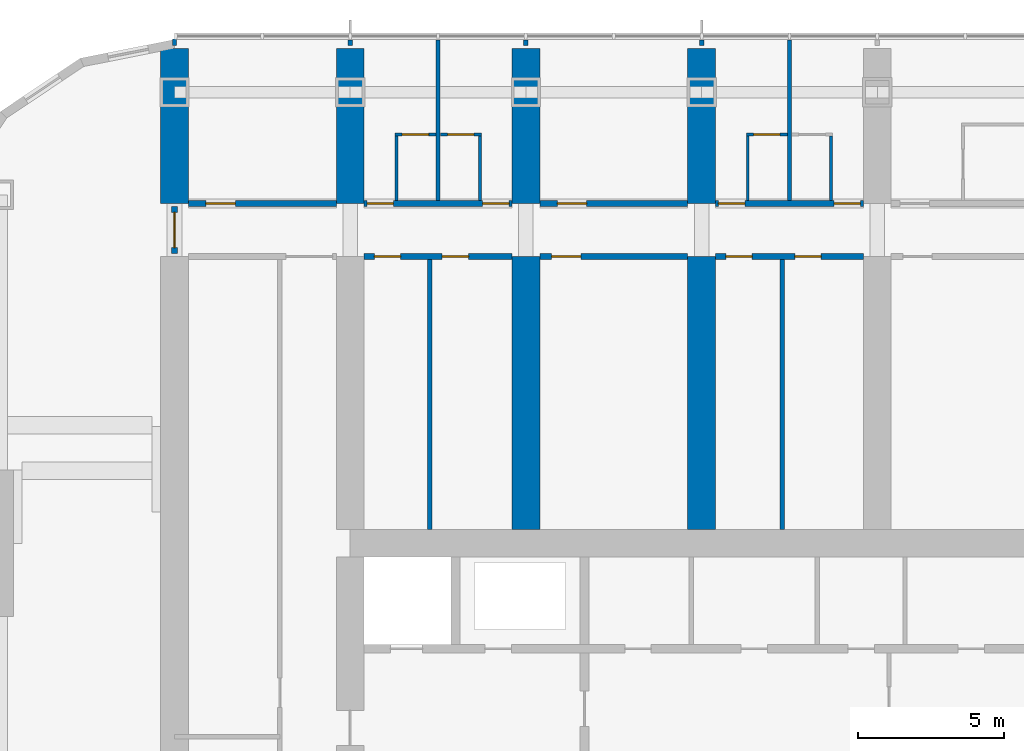
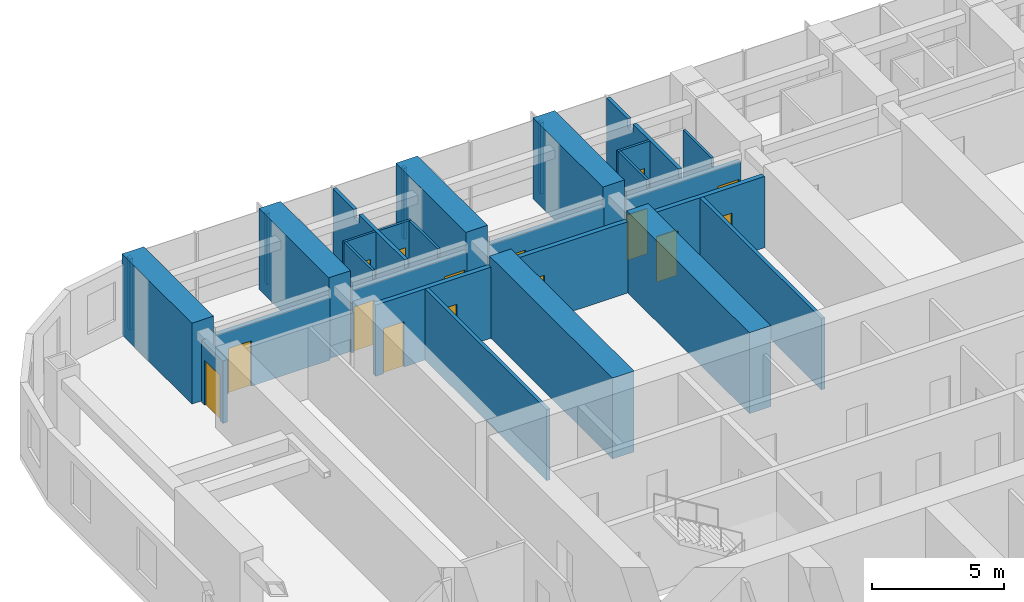
# One storey, part 13 of 21: 29 walls, 15 doors, 15 openings.
"""IFC4 building model written with IfcOpenShell, lengths in metres."""

from ifc_helpers import new_model, si_unit, direction, frame, frame_2d, origin, place, context, subcontext, project, spatial, polyline, rectangle, outline, extrude, material, layer, layer_set, type_object, element, fill, save


model = new_model("IFC4")

# Units and contexts
model_context = context("Model", 3, precision=1e-05, world=origin(), true_north=direction((0.0, 1.0)))
body_context = subcontext(model_context, "Body", "Model", "MODEL_VIEW")
ifc_project = project(units=[si_unit("LENGTHUNIT", "METRE"), si_unit("AREAUNIT", "SQUARE_METRE"), si_unit("VOLUMEUNIT", "CUBIC_METRE"), si_unit("PLANEANGLEUNIT", "RADIAN"), si_unit("MASSUNIT", "GRAM", prefix="KILO")], contexts=[model_context])

# Site, building, storey
site_placement = place(None, origin())
site = spatial("IfcSite", under=ifc_project, at=site_placement, CompositionType="ELEMENT")
building_placement = place(site_placement, origin())
building = spatial("IfcBuilding", under=site, at=building_placement, Name="Orbita Commons", CompositionType="ELEMENT")
storey_placement = place(building_placement, frame((0.0, 0.0, 95.64990234375)))
storey = spatial("IfcBuildingStorey", under=building, at=storey_placement, Name="L23", CompositionType="ELEMENT", Elevation=95.64990234375)

# Wall, opening, door
ifc_material_1 = material(Name="Concrete blockwork", Category="masonry")
ifc_layer_1 = layer(ifc_material_1, 0.199951171875)
ifc_layer_set_1 = layer_set([ifc_layer_1], Name="Concrete blockwork")
wall_type_1 = type_object("IfcWallType", Name="Corridor wall 200 blockwork", PredefinedType="SOLIDWALL", material=ifc_layer_set_1)
wall_1_placement = place(storey_placement, frame((12.47509765625, 49.800048828125, 0.0), z_axis=(0.0, 0.0, 1.0), x_axis=(1.0, 0.0, 0.0)))
wall_1 = element("IfcWall", 1, at=wall_1_placement, inside=storey, type_object=wall_type_1, Name="Corridor wall 200 blockwork L23", PredefinedType="SOLIDWALL", context=body_context, shape_type="SweptSolid", body=[
    extrude(outline(polyline([(0.0, 0.0), (5.0498046875, 0.0), (5.050048828125, 2.900146484375), (0.0, 2.900146484375), (0.0, 0.0)])), frame((0.0, 0.10009765625, 0.0), z_axis=(0.0, -1.0, 0.0), x_axis=(1.0, 0.0, 0.0)), (0.0, 0.0, 1.0), 0.199951171875),
])
opening_1_placement = place(wall_1_placement, frame((0.60009765625, 0.0, 0.0)))
opening_1 = element("IfcOpeningElement", 2, at=opening_1_placement, cuts=wall_1, Name="Opening D06", PredefinedType="OPENING", context=body_context, shape_type="SweptSolid", body=[
    extrude(rectangle(XDim=1.0, YDim=2.10009765625, at=frame_2d((0.5, 1.050048828125))), frame((0.0, 0.10986328125, 0.0), z_axis=(0.0, -1.0, 0.0), x_axis=(1.0, 0.0, 0.0)), (0.0, 0.0, 1.0), 0.219970703125),
])
ifc_material_2 = material(Name="Steel-faced fire door leaf", Category="steel")
door_type_1 = type_object("IfcDoorType", Name="Corridor door 20 min 1000x2100", OperationType="SINGLE_SWING_LEFT", PredefinedType="DOOR", material=ifc_material_2)
door_1_placement = place(opening_1_placement, origin())
door_1 = element("IfcDoor", 3, at=door_1_placement, inside=storey, type_object=door_type_1, Name="Sea-view lounge L23-N00 door", OperationType="SINGLE_SWING_LEFT", OverallHeight=2.10009765625, OverallWidth=1.0, PredefinedType="DOOR", context=body_context, shape_type="SweptSolid", body=[
    extrude(rectangle(XDim=1.0, YDim=2.10009765625, at=frame_2d((0.5, 1.050048828125))), frame((0.0, 0.02490234375, 0.0), z_axis=(0.0, -1.0, 0.0), x_axis=(1.0, 0.0, 0.0)), (0.0, 0.0, 1.0), 0.050048828125),
])
fill(opening_1, door_1)

# Wall, openings, doors
wall_2_placement = place(storey_placement, frame((18.47509765625, 49.800048828125, 0.0), z_axis=(0.0, 0.0, 1.0), x_axis=(1.0, 0.0, 0.0)))
wall_2 = element("IfcWall", 4, at=wall_2_placement, inside=storey, type_object=wall_type_1, Name="Corridor wall 200 blockwork L23", PredefinedType="SOLIDWALL", context=body_context, shape_type="SweptSolid", body=[
    extrude(outline(polyline([(0.0, 0.0), (5.0498046875, 0.0), (5.050048828125, 2.900146484375), (0.0, 2.900146484375), (0.0, 0.0)])), frame((0.0, 0.10009765625, 0.0), z_axis=(0.0, -1.0, 0.0), x_axis=(1.0, 0.0, 0.0)), (0.0, 0.0, 1.0), 0.199951171875),
])
opening_2_placement = place(wall_2_placement, frame((0.10009765625, 0.0, 0.0)))
opening_2 = element("IfcOpeningElement", 5, at=opening_2_placement, cuts=wall_2, Name="Opening D11", PredefinedType="OPENING", context=body_context, shape_type="SweptSolid", body=[
    extrude(rectangle(XDim=0.89990234375, YDim=2.10009765625, at=frame_2d((0.449951171875, 1.050048828125))), frame((0.0, 0.10986328125, 0.0), z_axis=(0.0, -1.0, 0.0), x_axis=(1.0, 0.0, 0.0)), (0.0, 0.0, 1.0), 0.219970703125),
])
opening_3_placement = place(wall_2_placement, frame((4.050048828125, 0.0, 0.0)))
opening_3 = element("IfcOpeningElement", 6, at=opening_3_placement, cuts=wall_2, Name="Opening D11", PredefinedType="OPENING", context=body_context, shape_type="SweptSolid", body=[
    extrude(rectangle(XDim=0.89990234375, YDim=2.10009765625, at=frame_2d((0.449951171875, 1.050048828125))), frame((0.0, 0.10986328125, 0.0), z_axis=(0.0, -1.0, 0.0), x_axis=(1.0, 0.0, 0.0)), (0.0, 0.0, 1.0), 0.219970703125),
])
ifc_material_3 = material(Name="Steel-faced fire door leaf", Category="steel")
door_type_2 = type_object("IfcDoorType", Name="Corridor door 20 min 900x2100", OperationType="SINGLE_SWING_LEFT", PredefinedType="DOOR", material=ifc_material_3)
door_2_placement = place(opening_2_placement, origin())
door_2 = element("IfcDoor", 7, at=door_2_placement, inside=storey, type_object=door_type_2, Name="Cluster bedroom L23-N02 door", OperationType="SINGLE_SWING_LEFT", OverallHeight=2.10009765625, OverallWidth=0.89990234375, PredefinedType="DOOR", context=body_context, shape_type="SweptSolid", body=[
    extrude(rectangle(XDim=0.89990234375, YDim=2.10009765625, at=frame_2d((0.449951171875, 1.050048828125))), frame((0.0, 0.02490234375, 0.0), z_axis=(0.0, -1.0, 0.0), x_axis=(1.0, 0.0, 0.0)), (0.0, 0.0, 1.0), 0.050048828125),
])
fill(opening_2, door_2)
door_3_placement = place(opening_3_placement, origin())
door_3 = element("IfcDoor", 8, at=door_3_placement, inside=storey, type_object=door_type_2, Name="Cluster bedroom L23-N03 door", OperationType="SINGLE_SWING_LEFT", OverallHeight=2.10009765625, OverallWidth=0.89990234375, PredefinedType="DOOR", context=body_context, shape_type="SweptSolid", body=[
    extrude(rectangle(XDim=0.89990234375, YDim=2.10009765625, at=frame_2d((0.449951171875, 1.050048828125))), frame((0.0, 0.02490234375, 0.0), z_axis=(0.0, -1.0, 0.0), x_axis=(1.0, 0.0, 0.0)), (0.0, 0.0, 1.0), 0.050048828125),
])
fill(opening_3, door_3)

# Wall, opening, door
wall_3_placement = place(storey_placement, frame((24.47509765625, 49.800048828125, 0.0), z_axis=(0.0, 0.0, 1.0), x_axis=(1.0, 0.0, 0.0)))
wall_3 = element("IfcWall", 9, at=wall_3_placement, inside=storey, type_object=wall_type_1, Name="Corridor wall 200 blockwork L23", PredefinedType="SOLIDWALL", context=body_context, shape_type="SweptSolid", body=[
    extrude(outline(polyline([(0.0, 0.0), (5.0498046875, 0.0), (5.050048828125, 2.900146484375), (0.0, 2.900146484375), (0.0, 0.0)])), frame((0.0, 0.10009765625, 0.0), z_axis=(0.0, -1.0, 0.0), x_axis=(1.0, 0.0, 0.0)), (0.0, 0.0, 1.0), 0.199951171875),
])
opening_4_placement = place(wall_3_placement, frame((0.60009765625, 0.0, 0.0)))
opening_4 = element("IfcOpeningElement", 10, at=opening_4_placement, cuts=wall_3, Name="Opening D06", PredefinedType="OPENING", context=body_context, shape_type="SweptSolid", body=[
    extrude(rectangle(XDim=1.0, YDim=2.10009765625, at=frame_2d((0.5, 1.050048828125))), frame((0.0, 0.10986328125, 0.0), z_axis=(0.0, -1.0, 0.0), x_axis=(1.0, 0.0, 0.0)), (0.0, 0.0, 1.0), 0.219970703125),
])
door_4_placement = place(opening_4_placement, origin())
door_4 = element("IfcDoor", 11, at=door_4_placement, inside=storey, type_object=door_type_1, Name="Sea-view lounge L23-N04 door", OperationType="SINGLE_SWING_LEFT", OverallHeight=2.10009765625, OverallWidth=1.0, PredefinedType="DOOR", context=body_context, shape_type="SweptSolid", body=[
    extrude(rectangle(XDim=1.0, YDim=2.10009765625, at=frame_2d((0.5, 1.050048828125))), frame((0.0, 0.02490234375, 0.0), z_axis=(0.0, -1.0, 0.0), x_axis=(1.0, 0.0, 0.0)), (0.0, 0.0, 1.0), 0.050048828125),
])
fill(opening_4, door_4)

# Wall, openings, doors
wall_4_placement = place(storey_placement, frame((30.47509765625, 49.800048828125, 0.0), z_axis=(0.0, 0.0, 1.0), x_axis=(1.0, 0.0, 0.0)))
wall_4 = element("IfcWall", 12, at=wall_4_placement, inside=storey, type_object=wall_type_1, Name="Corridor wall 200 blockwork L23", PredefinedType="SOLIDWALL", context=body_context, shape_type="SweptSolid", body=[
    extrude(outline(polyline([(0.0, 0.0), (5.0498046875, 0.0), (5.050048828125, 2.900146484375), (0.0, 2.900146484375), (0.0, 0.0)])), frame((0.0, 0.10009765625, 0.0), z_axis=(0.0, -1.0, 0.0), x_axis=(1.0, 0.0, 0.0)), (0.0, 0.0, 1.0), 0.199951171875),
])
opening_5_placement = place(wall_4_placement, frame((0.10009765625, 0.0, 0.0)))
opening_5 = element("IfcOpeningElement", 13, at=opening_5_placement, cuts=wall_4, Name="Opening D11", PredefinedType="OPENING", context=body_context, shape_type="SweptSolid", body=[
    extrude(rectangle(XDim=0.89990234375, YDim=2.10009765625, at=frame_2d((0.449951171875, 1.050048828125))), frame((0.0, 0.10986328125, 0.0), z_axis=(0.0, -1.0, 0.0), x_axis=(1.0, 0.0, 0.0)), (0.0, 0.0, 1.0), 0.219970703125),
])
opening_6_placement = place(wall_4_placement, frame((4.050048828125, 0.0, 0.0)))
opening_6 = element("IfcOpeningElement", 14, at=opening_6_placement, cuts=wall_4, Name="Opening D11", PredefinedType="OPENING", context=body_context, shape_type="SweptSolid", body=[
    extrude(rectangle(XDim=0.89990234375, YDim=2.10009765625, at=frame_2d((0.449951171875, 1.050048828125))), frame((0.0, 0.10986328125, 0.0), z_axis=(0.0, -1.0, 0.0), x_axis=(1.0, 0.0, 0.0)), (0.0, 0.0, 1.0), 0.219970703125),
])
door_5_placement = place(opening_5_placement, origin())
door_5 = element("IfcDoor", 15, at=door_5_placement, inside=storey, type_object=door_type_2, Name="Cluster bedroom L23-N06 door", OperationType="SINGLE_SWING_LEFT", OverallHeight=2.10009765625, OverallWidth=0.89990234375, PredefinedType="DOOR", context=body_context, shape_type="SweptSolid", body=[
    extrude(rectangle(XDim=0.89990234375, YDim=2.10009765625, at=frame_2d((0.449951171875, 1.050048828125))), frame((0.0, 0.02490234375, 0.0), z_axis=(0.0, -1.0, 0.0), x_axis=(1.0, 0.0, 0.0)), (0.0, 0.0, 1.0), 0.050048828125),
])
fill(opening_5, door_5)
door_6_placement = place(opening_6_placement, origin())
door_6 = element("IfcDoor", 16, at=door_6_placement, inside=storey, type_object=door_type_2, Name="Cluster bedroom L23-N07 door", OperationType="SINGLE_SWING_LEFT", OverallHeight=2.10009765625, OverallWidth=0.89990234375, PredefinedType="DOOR", context=body_context, shape_type="SweptSolid", body=[
    extrude(rectangle(XDim=0.89990234375, YDim=2.10009765625, at=frame_2d((0.449951171875, 1.050048828125))), frame((0.0, 0.02490234375, 0.0), z_axis=(0.0, -1.0, 0.0), x_axis=(1.0, 0.0, 0.0)), (0.0, 0.0, 1.0), 0.050048828125),
])
fill(opening_6, door_6)

# Wall, opening, door
wall_5_placement = place(storey_placement, frame((12.0, 48.10009765625, 0.0), z_axis=(0.0, 0.0, 1.0), x_axis=(0.0, 1.0, 0.0)))
wall_5 = element("IfcWall", 17, at=wall_5_placement, inside=storey, type_object=wall_type_1, Name="Corridor wall 200 blockwork L23", PredefinedType="SOLIDWALL", context=body_context, shape_type="SweptSolid", body=[
    extrude(outline(polyline([(0.0, 0.0), (1.599853515625, 0.0), (1.60009765625, 2.900146484375), (0.0, 2.900146484375), (0.0, 0.0)])), frame((0.0, 0.10009765625, 0.0), z_axis=(0.0, -1.0, 0.0), x_axis=(1.0, 0.0, 0.0)), (0.0, 0.0, 1.0), 0.199951171875),
])
opening_7_placement = place(wall_5_placement, frame((0.199951171875, 0.0, 0.0)))
opening_7 = element("IfcOpeningElement", 18, at=opening_7_placement, cuts=wall_5, Name="Opening D12", PredefinedType="OPENING", context=body_context, shape_type="SweptSolid", body=[
    extrude(rectangle(XDim=1.199951171875, YDim=2.10009765625, at=frame_2d((0.60009765625, 1.050048828125))), frame((0.0, 0.10986328125, 0.0), z_axis=(0.0, -1.0, 0.0), x_axis=(1.0, 0.0, 0.0)), (0.0, 0.0, 1.0), 0.219970703125),
])
ifc_material_4 = material(Name="Steel-faced fire door leaf", Category="steel")
door_type_3 = type_object("IfcDoorType", Name="Double corridor door 20 min 1200x2100", OperationType="DOUBLE_DOOR_SINGLE_SWING", PredefinedType="DOOR", material=ifc_material_4)
door_7_placement = place(opening_7_placement, origin())
door_7 = element("IfcDoor", 19, at=door_7_placement, inside=storey, type_object=door_type_3, Name="Lounge doors", OperationType="DOUBLE_DOOR_SINGLE_SWING", OverallHeight=2.10009765625, OverallWidth=1.199951171875, PredefinedType="DOOR", context=body_context, shape_type="SweptSolid", body=[
    extrude(rectangle(XDim=1.199951171875, YDim=2.10009765625, at=frame_2d((0.60009765625, 1.050048828125))), frame((0.0, 0.02490234375, 0.0), z_axis=(0.0, -1.0, 0.0), x_axis=(1.0, 0.0, 0.0)), (0.0, 0.0, 1.0), 0.050048828125),
])
fill(opening_7, door_7)

# Wall, openings, doors
ifc_material_5 = material(Name="Hollow concrete block 200", Category="concrete")
ifc_layer_2 = layer(ifc_material_5, 0.199951171875)
ifc_layer_set_2 = layer_set([ifc_layer_2], Name="Hollow concrete block 200")
wall_type_2 = type_object("IfcWallType", Name="Corridor wall 200 hollow concrete block", PredefinedType="SOLIDWALL", material=ifc_layer_set_2)
wall_6_placement = place(storey_placement, frame((18.47509765625, 48.0, 0.0), z_axis=(0.0, 0.0, 1.0), x_axis=(1.0, 0.0, 0.0)))
wall_6 = element("IfcWall", 20, at=wall_6_placement, inside=storey, type_object=wall_type_2, Name="Corridor wall 200 hollow concrete block L23", PredefinedType="SOLIDWALL", context=body_context, shape_type="SweptSolid", body=[
    extrude(rectangle(XDim=5.0498046875, YDim=0.199951171875, at=frame_2d((2.52490234375, 0.0))), origin(), (0.0, 0.0, 1.0), 3.300048828125),
])
opening_8_placement = place(wall_6_placement, frame((0.35009765625, 0.0, 0.0)))
opening_8 = element("IfcOpeningElement", 21, at=opening_8_placement, cuts=wall_6, Name="Opening D11", PredefinedType="OPENING", context=body_context, shape_type="SweptSolid", body=[
    extrude(rectangle(XDim=0.89990234375, YDim=2.10009765625, at=frame_2d((0.449951171875, 1.050048828125))), frame((0.0, 0.10986328125, 0.0), z_axis=(0.0, -1.0, 0.0), x_axis=(1.0, 0.0, 0.0)), (0.0, 0.0, 1.0), 0.219970703125),
])
opening_9_placement = place(wall_6_placement, frame((2.6650390625, 0.0, 0.0)))
opening_9 = element("IfcOpeningElement", 22, at=opening_9_placement, cuts=wall_6, Name="Opening D11", PredefinedType="OPENING", context=body_context, shape_type="SweptSolid", body=[
    extrude(rectangle(XDim=0.89990234375, YDim=2.10009765625, at=frame_2d((0.449951171875, 1.050048828125))), frame((0.0, 0.10986328125, 0.0), z_axis=(0.0, -1.0, 0.0), x_axis=(1.0, 0.0, 0.0)), (0.0, 0.0, 1.0), 0.219970703125),
])
door_8_placement = place(opening_8_placement, origin())
door_8 = element("IfcDoor", 23, at=door_8_placement, inside=storey, type_object=door_type_2, Name="Riser access cupboard L23-BDN18n door", OperationType="SINGLE_SWING_LEFT", OverallHeight=2.10009765625, OverallWidth=0.89990234375, PredefinedType="DOOR", context=body_context, shape_type="SweptSolid", body=[
    extrude(rectangle(XDim=0.89990234375, YDim=2.10009765625, at=frame_2d((0.449951171875, 1.050048828125))), frame((0.0, 0.02490234375, 0.0), z_axis=(0.0, -1.0, 0.0), x_axis=(1.0, 0.0, 0.0)), (0.0, 0.0, 1.0), 0.050048828125),
])
fill(opening_8, door_8)
door_9_placement = place(opening_9_placement, origin())
door_9 = element("IfcDoor", 24, at=door_9_placement, inside=storey, type_object=door_type_2, Name="Linen store L23-BDN18 door", OperationType="SINGLE_SWING_LEFT", OverallHeight=2.10009765625, OverallWidth=0.89990234375, PredefinedType="DOOR", context=body_context, shape_type="SweptSolid", body=[
    extrude(rectangle(XDim=0.89990234375, YDim=2.10009765625, at=frame_2d((0.449951171875, 1.050048828125))), frame((0.0, 0.02490234375, 0.0), z_axis=(0.0, -1.0, 0.0), x_axis=(1.0, 0.0, 0.0)), (0.0, 0.0, 1.0), 0.050048828125),
])
fill(opening_9, door_9)

# Wall, opening, door
wall_7_placement = place(storey_placement, frame((24.47509765625, 48.0, 0.0), z_axis=(0.0, 0.0, 1.0), x_axis=(1.0, 0.0, 0.0)))
wall_7 = element("IfcWall", 25, at=wall_7_placement, inside=storey, type_object=wall_type_2, Name="Corridor wall 200 hollow concrete block L23", PredefinedType="SOLIDWALL", context=body_context, shape_type="SweptSolid", body=[
    extrude(rectangle(XDim=5.0498046875, YDim=0.199951171875, at=frame_2d((2.52490234375, 0.0))), origin(), (0.0, 0.0, 1.0), 3.300048828125),
])
opening_10_placement = place(wall_7_placement, frame((0.39990234375, 0.0, 0.0)))
opening_10 = element("IfcOpeningElement", 26, at=opening_10_placement, cuts=wall_7, Name="Opening D06", PredefinedType="OPENING", context=body_context, shape_type="SweptSolid", body=[
    extrude(rectangle(XDim=1.0, YDim=2.10009765625, at=frame_2d((0.5, 1.050048828125))), frame((0.0, 0.10986328125, 0.0), z_axis=(0.0, -1.0, 0.0), x_axis=(1.0, 0.0, 0.0)), (0.0, 0.0, 1.0), 0.219970703125),
])
door_10_placement = place(opening_10_placement, origin())
door_10 = element("IfcDoor", 27, at=door_10_placement, inside=storey, type_object=door_type_1, Name="Cluster pantry L23-BDN24 door", OperationType="SINGLE_SWING_LEFT", OverallHeight=2.10009765625, OverallWidth=1.0, PredefinedType="DOOR", context=body_context, shape_type="SweptSolid", body=[
    extrude(rectangle(XDim=1.0, YDim=2.10009765625, at=frame_2d((0.5, 1.050048828125))), frame((0.0, 0.02490234375, 0.0), z_axis=(0.0, -1.0, 0.0), x_axis=(1.0, 0.0, 0.0)), (0.0, 0.0, 1.0), 0.050048828125),
])
fill(opening_10, door_10)

# Wall, openings, doors
wall_8_placement = place(storey_placement, frame((30.47509765625, 48.0, 0.0), z_axis=(0.0, 0.0, 1.0), x_axis=(1.0, 0.0, 0.0)))
wall_8 = element("IfcWall", 28, at=wall_8_placement, inside=storey, type_object=wall_type_2, Name="Corridor wall 200 hollow concrete block L23", PredefinedType="SOLIDWALL", context=body_context, shape_type="SweptSolid", body=[
    extrude(rectangle(XDim=5.0498046875, YDim=0.199951171875, at=frame_2d((2.52490234375, 0.0))), origin(), (0.0, 0.0, 1.0), 3.300048828125),
])
opening_11_placement = place(wall_8_placement, frame((0.35009765625, 0.0, 0.0)))
opening_11 = element("IfcOpeningElement", 29, at=opening_11_placement, cuts=wall_8, Name="Opening D11", PredefinedType="OPENING", context=body_context, shape_type="SweptSolid", body=[
    extrude(rectangle(XDim=0.89990234375, YDim=2.10009765625, at=frame_2d((0.449951171875, 1.050048828125))), frame((0.0, 0.10986328125, 0.0), z_axis=(0.0, -1.0, 0.0), x_axis=(1.0, 0.0, 0.0)), (0.0, 0.0, 1.0), 0.219970703125),
])
opening_12_placement = place(wall_8_placement, frame((2.705078125, 0.0, 0.0)))
opening_12 = element("IfcOpeningElement", 30, at=opening_12_placement, cuts=wall_8, Name="Opening D11", PredefinedType="OPENING", context=body_context, shape_type="SweptSolid", body=[
    extrude(rectangle(XDim=0.89990234375, YDim=2.10009765625, at=frame_2d((0.449951171875, 1.050048828125))), frame((0.0, 0.10986328125, 0.0), z_axis=(0.0, -1.0, 0.0), x_axis=(1.0, 0.0, 0.0)), (0.0, 0.0, 1.0), 0.219970703125),
])
door_11_placement = place(opening_11_placement, origin())
door_11 = element("IfcDoor", 31, at=door_11_placement, inside=storey, type_object=door_type_2, Name="Water heater cupboard L23-BDN30n door", OperationType="SINGLE_SWING_LEFT", OverallHeight=2.10009765625, OverallWidth=0.89990234375, PredefinedType="DOOR", context=body_context, shape_type="SweptSolid", body=[
    extrude(rectangle(XDim=0.89990234375, YDim=2.10009765625, at=frame_2d((0.449951171875, 1.050048828125))), frame((0.0, 0.02490234375, 0.0), z_axis=(0.0, -1.0, 0.0), x_axis=(1.0, 0.0, 0.0)), (0.0, 0.0, 1.0), 0.050048828125),
])
fill(opening_11, door_11)
door_12_placement = place(opening_12_placement, origin())
door_12 = element("IfcDoor", 32, at=door_12_placement, inside=storey, type_object=door_type_2, Name="Bulk and luggage store L23-BDN30 door", OperationType="SINGLE_SWING_LEFT", OverallHeight=2.10009765625, OverallWidth=0.89990234375, PredefinedType="DOOR", context=body_context, shape_type="SweptSolid", body=[
    extrude(rectangle(XDim=0.89990234375, YDim=2.10009765625, at=frame_2d((0.449951171875, 1.050048828125))), frame((0.0, 0.02490234375, 0.0), z_axis=(0.0, -1.0, 0.0), x_axis=(1.0, 0.0, 0.0)), (0.0, 0.0, 1.0), 0.050048828125),
])
fill(opening_12, door_12)

# Walls
ifc_material_6 = material(Name="Concrete C50/60", Category="concrete")
ifc_layer_3 = layer(ifc_material_6, 0.949951171875)
ifc_layer_set_3 = layer_set([ifc_layer_3], Name="Concrete C50/60")
wall_type_3 = type_object("IfcWallType", Name="Cross wall 950 C50/60", PredefinedType="SHEAR", material=ifc_layer_set_3)
for number, where, z_axis, x_axis, name in (
    (33, (12.0, 49.800048828125, 0.0), (0.0, 0.0, 1.0), (0.0, 1.0, 0.0), "Cross wall 3 north outer L23"),
    (34, (18.0, 49.800048828125, 0.0), (0.0, 0.0, 1.0), (0.0, 1.0, 0.0), "Cross wall 4 north outer L23"),
    (35, (24.0, 49.800048828125, 0.0), (0.0, 0.0, 1.0), (0.0, 1.0, 0.0), "Cross wall 5 north outer L23"),
):
    element("IfcWall", number, at=place(storey_placement, frame(where, z_axis=z_axis, x_axis=x_axis)), inside=storey, type_object=wall_type_3, Name=name, PredefinedType="SHEAR", context=body_context, shape_type="SweptSolid", body=[
        extrude(rectangle(XDim=5.300048828125, YDim=0.949951171875, at=frame_2d((2.64990234375, 0.0))), origin(), (0.0, 0.0, 1.0), 3.75),
    ])
wall_9_placement = place(storey_placement, frame((24.0, 38.675048828125, 0.0), z_axis=(0.0, 0.0, 1.0), x_axis=(0.0, 1.0, 0.0)))
element("IfcWall", 36, at=wall_9_placement, inside=storey, type_object=wall_type_3, Name="Cross wall 5 north inner L23", PredefinedType="SHEAR", context=body_context, shape_type="SweptSolid", body=[
    extrude(rectangle(XDim=9.324951171875, YDim=0.949951171875, at=frame_2d((4.66259765625, 0.0))), origin(), (0.0, 0.0, 1.0), 3.75),
])
wall_10_placement = place(storey_placement, frame((30.0, 49.800048828125, 0.0), z_axis=(0.0, 0.0, 1.0), x_axis=(0.0, 1.0, 0.0)))
element("IfcWall", 37, at=wall_10_placement, inside=storey, type_object=wall_type_3, Name="Cross wall 6 north outer L23", PredefinedType="SHEAR", context=body_context, shape_type="SweptSolid", body=[
    extrude(rectangle(XDim=5.300048828125, YDim=0.949951171875, at=frame_2d((2.64990234375, 0.0))), origin(), (0.0, 0.0, 1.0), 3.75),
])
wall_11_placement = place(storey_placement, frame((30.0, 38.675048828125, 0.0), z_axis=(0.0, 0.0, 1.0), x_axis=(0.0, 1.0, 0.0)))
element("IfcWall", 38, at=wall_11_placement, inside=storey, type_object=wall_type_3, Name="Cross wall 6 north inner L23", PredefinedType="SHEAR", context=body_context, shape_type="SweptSolid", body=[
    extrude(rectangle(XDim=9.324951171875, YDim=0.949951171875, at=frame_2d((4.66259765625, 0.0))), origin(), (0.0, 0.0, 1.0), 3.75),
])

# Wall, opening, door
ifc_material_7 = material(Name="Moisture-resistant plasterboard on steel studs", Category="steel")
ifc_layer_4 = layer(ifc_material_7, 0.10009765625)
ifc_layer_set_4 = layer_set([ifc_layer_4], Name="Moisture-resistant plasterboard on steel studs")
wall_type_4 = type_object("IfcWallType", Name="En-suite partition 100", PredefinedType="PARTITIONING", material=ifc_layer_set_4)
wall_12_placement = place(storey_placement, frame((19.52490234375, 52.1591796875, 0.0), z_axis=(0.0, 0.0, 1.0), x_axis=(1.0, 0.0, 0.0)))
wall_12 = element("IfcWall", 39, at=wall_12_placement, inside=storey, type_object=wall_type_4, Name="En-suite partition 100 L23", PredefinedType="PARTITIONING", context=body_context, shape_type="SweptSolid", body=[
    extrude(rectangle(XDim=1.400146484375, YDim=0.10009765625, at=frame_2d((0.7001953125, 0.0))), origin(), (0.0, 0.0, 1.0), 3.300048828125),
])
opening_13_placement = place(wall_12_placement, frame((0.25, 0.0, 0.0)))
opening_13 = element("IfcOpeningElement", 40, at=opening_13_placement, cuts=wall_12, Name="Opening D09", PredefinedType="OPENING", context=body_context, shape_type="SweptSolid", body=[
    extrude(rectangle(XDim=0.89990234375, YDim=2.10009765625, at=frame_2d((0.449951171875, 1.050048828125))), frame((0.0, 0.06005859375, 0.0), z_axis=(0.0, -1.0, 0.0), x_axis=(1.0, 0.0, 0.0)), (0.0, 0.0, 1.0), 0.1201171875),
])
ifc_material_8 = material(Name="Laminated timber door leaf", Category="wood")
door_type_4 = type_object("IfcDoorType", Name="En-suite door 900x2100", OperationType="SINGLE_SWING_RIGHT", PredefinedType="DOOR", material=ifc_material_8)
door_13_placement = place(opening_13_placement, origin())
door_13 = element("IfcDoor", 41, at=door_13_placement, inside=storey, type_object=door_type_4, Name="En-suite L23-N02 door", OperationType="SINGLE_SWING_RIGHT", OverallHeight=2.10009765625, OverallWidth=0.89990234375, PredefinedType="DOOR", context=body_context, shape_type="SweptSolid", body=[
    extrude(rectangle(XDim=0.89990234375, YDim=2.10009765625, at=frame_2d((0.449951171875, 1.050048828125))), frame((0.0, 0.02490234375, 0.0), z_axis=(0.0, -1.0, 0.0), x_axis=(1.0, 0.0, 0.0)), (0.0, 0.0, 1.0), 0.050048828125),
])
fill(opening_13, door_13)

# Wall
wall_13_placement = place(storey_placement, frame((19.574951171875, 52.109375, 0.0), z_axis=(0.0, 0.0, 1.0), x_axis=(0.0, -1.0, 0.0)))
element("IfcWall", 42, at=wall_13_placement, inside=storey, type_object=wall_type_4, Name="En-suite partition 100 L23", PredefinedType="PARTITIONING", context=body_context, shape_type="SweptSolid", body=[
    extrude(outline(polyline([(0.0, 0.0), (2.20947265625, 0.0), (2.209228515625, 2.900146484375), (2.161376953125, 2.900146484375), (2.1591796875, 3.300048828125), (0.0, 3.300048828125), (0.0, 0.0)])), frame((0.0, 0.050048828125, 0.0), z_axis=(0.0, -1.0, 0.0), x_axis=(1.0, 0.0, 0.0)), (0.0, 0.0, 1.0), 0.10009765625),
])

# Wall, opening, door
wall_14_placement = place(storey_placement, frame((21.074951171875, 52.1591796875, 0.0), z_axis=(0.0, 0.0, 1.0), x_axis=(1.0, 0.0, 0.0)))
wall_14 = element("IfcWall", 43, at=wall_14_placement, inside=storey, type_object=wall_type_4, Name="En-suite partition 100 L23", PredefinedType="PARTITIONING", context=body_context, shape_type="SweptSolid", body=[
    extrude(rectangle(XDim=1.400146484375, YDim=0.10009765625, at=frame_2d((0.7001953125, 0.0))), origin(), (0.0, 0.0, 1.0), 3.300048828125),
])
opening_14_placement = place(wall_14_placement, frame((0.25, 0.0, 0.0)))
opening_14 = element("IfcOpeningElement", 44, at=opening_14_placement, cuts=wall_14, Name="Opening D09", PredefinedType="OPENING", context=body_context, shape_type="SweptSolid", body=[
    extrude(rectangle(XDim=0.89990234375, YDim=2.10009765625, at=frame_2d((0.449951171875, 1.050048828125))), frame((0.0, 0.06005859375, 0.0), z_axis=(0.0, -1.0, 0.0), x_axis=(1.0, 0.0, 0.0)), (0.0, 0.0, 1.0), 0.1201171875),
])
door_14_placement = place(opening_14_placement, origin())
door_14 = element("IfcDoor", 45, at=door_14_placement, inside=storey, type_object=door_type_4, Name="En-suite L23-N03 door", OperationType="SINGLE_SWING_RIGHT", OverallHeight=2.10009765625, OverallWidth=0.89990234375, PredefinedType="DOOR", context=body_context, shape_type="SweptSolid", body=[
    extrude(rectangle(XDim=0.89990234375, YDim=2.10009765625, at=frame_2d((0.449951171875, 1.050048828125))), frame((0.0, 0.02490234375, 0.0), z_axis=(0.0, -1.0, 0.0), x_axis=(1.0, 0.0, 0.0)), (0.0, 0.0, 1.0), 0.050048828125),
])
fill(opening_14, door_14)

# Wall
wall_15_placement = place(storey_placement, frame((22.425048828125, 52.109375, 0.0), z_axis=(0.0, 0.0, 1.0), x_axis=(0.0, -1.0, 0.0)))
element("IfcWall", 46, at=wall_15_placement, inside=storey, type_object=wall_type_4, Name="En-suite partition 100 L23", PredefinedType="PARTITIONING", context=body_context, shape_type="SweptSolid", body=[
    extrude(outline(polyline([(0.0, 0.0), (2.20947265625, 0.0), (2.209228515625, 2.900146484375), (2.161376953125, 2.900146484375), (2.1591796875, 3.300048828125), (0.0, 3.300048828125), (0.0, 0.0)])), frame((0.0, 0.050048828125, 0.0), z_axis=(0.0, -1.0, 0.0), x_axis=(1.0, 0.0, 0.0)), (0.0, 0.0, 1.0), 0.10009765625),
])

# Wall, opening, door
wall_16_placement = place(storey_placement, frame((31.52490234375, 52.1591796875, 0.0), z_axis=(0.0, 0.0, 1.0), x_axis=(1.0, 0.0, 0.0)))
wall_16 = element("IfcWall", 47, at=wall_16_placement, inside=storey, type_object=wall_type_4, Name="En-suite partition 100 L23", PredefinedType="PARTITIONING", context=body_context, shape_type="SweptSolid", body=[
    extrude(rectangle(XDim=1.400146484375, YDim=0.10009765625, at=frame_2d((0.7001953125, 0.0))), origin(), (0.0, 0.0, 1.0), 3.300048828125),
])
opening_15_placement = place(wall_16_placement, frame((0.25, 0.0, 0.0)))
opening_15 = element("IfcOpeningElement", 48, at=opening_15_placement, cuts=wall_16, Name="Opening D09", PredefinedType="OPENING", context=body_context, shape_type="SweptSolid", body=[
    extrude(rectangle(XDim=0.89990234375, YDim=2.10009765625, at=frame_2d((0.449951171875, 1.050048828125))), frame((0.0, 0.06005859375, 0.0), z_axis=(0.0, -1.0, 0.0), x_axis=(1.0, 0.0, 0.0)), (0.0, 0.0, 1.0), 0.1201171875),
])
door_15_placement = place(opening_15_placement, origin())
door_15 = element("IfcDoor", 49, at=door_15_placement, inside=storey, type_object=door_type_4, Name="En-suite L23-N06 door", OperationType="SINGLE_SWING_RIGHT", OverallHeight=2.10009765625, OverallWidth=0.89990234375, PredefinedType="DOOR", context=body_context, shape_type="SweptSolid", body=[
    extrude(rectangle(XDim=0.89990234375, YDim=2.10009765625, at=frame_2d((0.449951171875, 1.050048828125))), frame((0.0, 0.02490234375, 0.0), z_axis=(0.0, -1.0, 0.0), x_axis=(1.0, 0.0, 0.0)), (0.0, 0.0, 1.0), 0.050048828125),
])
fill(opening_15, door_15)

# Walls
for number, where, z_axis, x_axis, name in (
    (50, (31.574951171875, 52.109375, 0.0), (0.0, 0.0, 1.0), (0.0, -1.0, 0.0), "En-suite partition 100 L23"),
    (51, (34.425048828125, 52.109375, 0.0), (0.0, 0.0, 1.0), (0.0, -1.0, 0.0), "En-suite partition 100 L23"),
):
    element("IfcWall", number, at=place(storey_placement, frame(where, z_axis=z_axis, x_axis=x_axis)), inside=storey, type_object=wall_type_4, Name=name, PredefinedType="PARTITIONING", context=body_context, shape_type="SweptSolid", body=[
        extrude(outline(polyline([(0.0, 0.0), (2.20947265625, 0.0), (2.209228515625, 2.900146484375), (2.161376953125, 2.900146484375), (2.1591796875, 3.300048828125), (0.0, 3.300048828125), (0.0, 0.0)])), frame((0.0, 0.050048828125, 0.0), z_axis=(0.0, -1.0, 0.0), x_axis=(1.0, 0.0, 0.0)), (0.0, 0.0, 1.0), 0.10009765625),
    ])
ifc_material_9 = material(Name="Gypsum plasterboard on steel studs", Category="steel")
ifc_layer_5 = layer(ifc_material_9, 0.14990234375)
ifc_layer_set_5 = layer_set([ifc_layer_5], Name="Gypsum plasterboard on steel studs")
wall_type_5 = type_object("IfcWallType", Name="Partition 150 plasterboard", PredefinedType="PARTITIONING", material=ifc_layer_set_5)
for number, where, z_axis, x_axis, name in (
    (52, (20.715087890625, 38.675048828125, 0.0), (0.0, 0.0, 1.0), (0.0, 1.0, 0.0), "Partition 150 plasterboard L23"),
    (53, (32.7548828125, 38.675048828125, 0.0), (0.0, 0.0, 1.0), (0.0, 1.0, 0.0), "Partition 150 plasterboard L23"),
):
    element("IfcWall", number, at=place(storey_placement, frame(where, z_axis=z_axis, x_axis=x_axis)), inside=storey, type_object=wall_type_5, Name=name, PredefinedType="PARTITIONING", context=body_context, shape_type="SweptSolid", body=[
        extrude(rectangle(XDim=9.224853515625, YDim=0.14990234375, at=frame_2d((4.6123046875, 0.0))), origin(), (0.0, 0.0, 1.0), 3.300048828125),
    ])
wall_17_placement = place(storey_placement, frame((12.0, 55.199951171875, 0.0), z_axis=(0.0, 0.0, 1.0), x_axis=(0.0, 1.0, 0.0)))
element("IfcWall", 54, at=wall_17_placement, inside=storey, type_object=wall_type_5, Name="Partition 150 plasterboard L23", PredefinedType="PARTITIONING", context=body_context, shape_type="SweptSolid", body=[
    extrude(rectangle(XDim=0.219970703125, YDim=0.14990234375, at=frame_2d((0.10986328125, 0.0))), origin(), (0.0, 0.0, 1.0), 3.300048828125),
])
for number, where, z_axis, x_axis, name in (
    (55, (18.0, 55.199951171875, 0.0), (0.0, 0.0, 1.0), (0.0, 1.0, 0.0), "Partition 150 plasterboard L23"),
    (56, (24.0, 55.199951171875, 0.0), (0.0, 0.0, 1.0), (0.0, 1.0, 0.0), "Partition 150 plasterboard L23"),
    (57, (30.0, 55.199951171875, 0.0), (0.0, 0.0, 1.0), (0.0, 1.0, 0.0), "Partition 150 plasterboard L23"),
):
    element("IfcWall", number, at=place(storey_placement, frame(where, z_axis=z_axis, x_axis=x_axis)), inside=storey, type_object=wall_type_5, Name=name, PredefinedType="PARTITIONING", context=body_context, shape_type="SweptSolid", body=[
        extrude(rectangle(XDim=0.18994140625, YDim=0.14990234375, at=frame_2d((0.094970703125, 0.0))), origin(), (0.0, 0.0, 1.0), 3.300048828125),
    ])
ifc_material_10 = material(Name="Gypsum plasterboard on steel studs", Category="steel")
ifc_layer_6 = layer(ifc_material_10, 0.14990234375)
ifc_layer_set_6 = layer_set([ifc_layer_6], Name="Gypsum plasterboard on steel studs")
wall_type_6 = type_object("IfcWallType", Name="Party wall 150 plasterboard", PredefinedType="PARTITIONING", material=ifc_layer_set_6)
for number, where, z_axis, x_axis, name in (
    (58, (21.0, 55.389892578125, 0.0), (0.0, 0.0, 1.0), (0.0, -1.0, 0.0), "Party wall 150 plasterboard L23"),
    (59, (33.0, 55.389892578125, 0.0), (0.0, 0.0, 1.0), (0.0, -1.0, 0.0), "Party wall 150 plasterboard L23"),
):
    element("IfcWall", number, at=place(storey_placement, frame(where, z_axis=z_axis, x_axis=x_axis)), inside=storey, type_object=wall_type_6, Name=name, PredefinedType="PARTITIONING", context=body_context, shape_type="SweptSolid", body=[
        extrude(outline(polyline([(0.0, 0.0), (5.489990234375, 0.0), (5.489990234375, 2.900146484375), (5.44189453125, 2.900146484375), (5.43994140625, 3.300048828125), (1.991943359375, 3.300048828125), (1.989990234375, 2.900146484375), (1.592041015625, 2.900146484375), (1.590087890625, 3.300048828125), (0.0, 3.300048828125), (0.0, 0.0)])), frame((0.0, 0.074951171875, 0.0), z_axis=(0.0, -1.0, 0.0), x_axis=(1.0, 0.0, 0.0)), (0.0, 0.0, 1.0), 0.14990234375),
    ])

save(model, "model.ifc")
